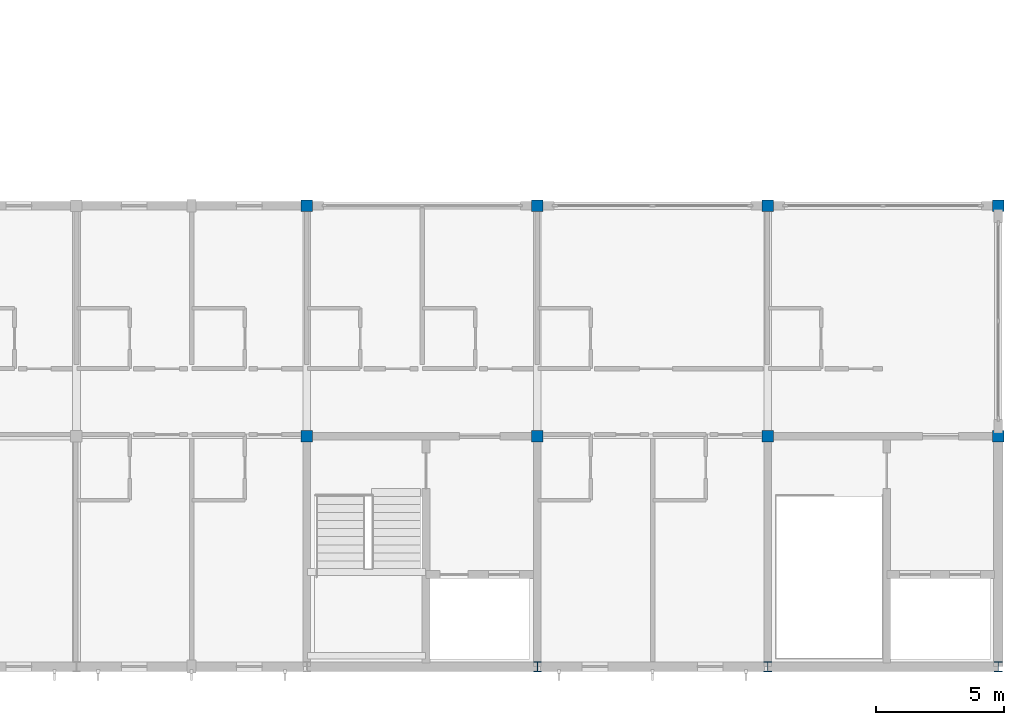
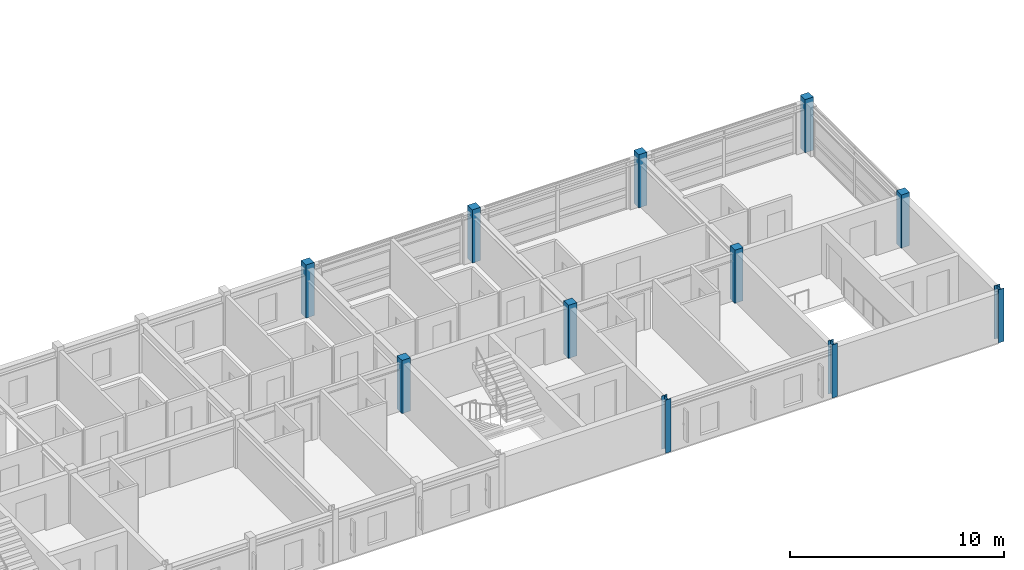
# One storey, part 2 of 20: 11 columns.
"""IFC4 building model written with IfcOpenShell, lengths in metres."""

import ifcopenshell
import ifcopenshell.guid

model = None  # the IFC model being written
_history = None  # IfcOwnerHistory: only IFC2X3 demands one
_inside = {}  # id of a spatial element -> (the spatial element, [elements in it])
_under = {}  # id of a project, library or spatial element -> (it, [spatial elements below it])
_declared = {}  # id of a project -> (the project, [libraries it declares])
_typed = {}  # id of a type object -> (the type object, [elements of that type])
_made_of = {}  # id of a material, layer set ... -> (it, [elements and type objects made of it])


def new_model(schema):
    """Start an empty IFC model of exactly this schema.

    Asked for "IFC4X3", IfcOpenShell would pick the latest addendum, in which some entities
    have other attributes; the version numbers below select the first issue.
    IFC2X3 requires an IfcOwnerHistory on every rooted entity: one is made here for all.
    """
    global model, _history
    if schema == "IFC4X3":
        model = ifcopenshell.file(schema_version=(4, 3, 0, 0))
    else:
        model = ifcopenshell.file(schema=schema)
    _inside.clear()
    _under.clear()
    _declared.clear()
    _typed.clear()
    _made_of.clear()
    _history = None
    if model.schema == "IFC2X3":
        org = make("IfcOrganization", Name="unknown")
        user = make(
            "IfcPersonAndOrganization",
            ThePerson=make("IfcPerson", FamilyName="unknown"),
            TheOrganization=org,
        )
        app = make(
            "IfcApplication",
            ApplicationDeveloper=org,
            Version="unknown",
            ApplicationFullName="unknown",
            ApplicationIdentifier="unknown",
        )
        _history = make(
            "IfcOwnerHistory",
            OwningUser=user,
            OwningApplication=app,
            ChangeAction="ADDED",
            CreationDate=0,
        )
    return model


def make(cls, **values):
    """One entity of the class cls with the attributes given. An attribute that is None is left unset."""
    return model.create_entity(
        cls, **{name: value for name, value in values.items() if value is not None}
    )


def rooted(cls, **values):
    """An entity with a GlobalId (a new one), such as an element, a storey or a relation."""
    return make(cls, GlobalId=ifcopenshell.guid.new(), OwnerHistory=_history, **values)


def si_unit(unit_type, name, prefix=None):
    """IfcSIUnit, for example si_unit("LENGTHUNIT", "METRE", prefix="MILLI")."""
    return make("IfcSIUnit", UnitType=unit_type, Prefix=prefix, Name=name)


def assignment(units):
    """IfcUnitAssignment: the units of a project."""
    return None if units is None else make("IfcUnitAssignment", Units=units)


def point(xyz):
    """IfcCartesianPoint."""
    return None if xyz is None else make("IfcCartesianPoint", Coordinates=xyz)


def direction(xyz):
    """IfcDirection."""
    return None if xyz is None else make("IfcDirection", DirectionRatios=xyz)


def frame(location, z_axis=None, x_axis=None):
    """IfcAxis2Placement3D, a coordinate frame: its origin and axes. An axis left out is left unset."""
    return make(
        "IfcAxis2Placement3D",
        Location=point(location),
        Axis=direction(z_axis),
        RefDirection=direction(x_axis),
    )


def frame_2d(location, x_axis=None):
    """IfcAxis2Placement2D, a coordinate frame in the plane: its origin and x axis."""
    return make(
        "IfcAxis2Placement2D", Location=point(location), RefDirection=direction(x_axis)
    )


def origin():
    """The frame at (0, 0, 0) with its axes left unset."""
    return frame((0.0, 0.0, 0.0))


def origin_2d():
    """The frame at (0, 0) in the plane with its x axis left unset."""
    return frame_2d((0.0, 0.0))


def place(relative_to, where):
    """IfcLocalPlacement: puts the frame where relative to a parent placement (None: the world)."""
    return make(
        "IfcLocalPlacement", PlacementRelTo=relative_to, RelativePlacement=where
    )


def context(
    kind, dimensions, precision=None, world=None, true_north=None, identifier=None
):
    """IfcGeometricRepresentationContext, for example the 3D "Model" context."""
    return make(
        "IfcGeometricRepresentationContext",
        ContextIdentifier=identifier,
        ContextType=kind,
        CoordinateSpaceDimension=dimensions,
        Precision=precision,
        WorldCoordinateSystem=world,
        TrueNorth=true_north,
    )


def subcontext(parent, identifier, kind, view, scale=None):
    """IfcGeometricRepresentationSubContext, for example "Body" below "Model"."""
    return make(
        "IfcGeometricRepresentationSubContext",
        ContextIdentifier=identifier,
        ContextType=kind,
        ParentContext=parent,
        TargetScale=scale,
        TargetView=view,
    )


def project(units=None, contexts=None):
    """IfcProject with its units and contexts."""
    return rooted(
        "IfcProject",
        Name="project",
        RepresentationContexts=contexts,
        UnitsInContext=assignment(units),
    )


def spatial(cls, under=None, at=None, **own):
    """A site, building, storey or space (cls), placed at a placement, below another one or the project."""
    s = rooted(cls, ObjectPlacement=at, **own)
    if under is not None:
        _under.setdefault(under.id(), (under, []))[1].append(s)
    return s


def profile(cls, at=None, kind="AREA", **sizes):
    """A parametric profile (cls). Its sizes go by their IFC names, for example OverallWidth=200.0."""
    return make(cls, ProfileType=kind, Position=at, **sizes)


def rectangle(**sizes):
    """IfcRectangleProfileDef."""
    return profile("IfcRectangleProfileDef", **sizes)


def i_section(**sizes):
    """IfcIShapeProfileDef."""
    return profile("IfcIShapeProfileDef", **sizes)


def extrude(swept, where, along, depth):
    """IfcExtrudedAreaSolid: the profile swept, set in the frame where, extruded along a direction by depth."""
    return make(
        "IfcExtrudedAreaSolid",
        SweptArea=swept,
        Position=where,
        ExtrudedDirection=direction(along),
        Depth=depth,
    )


def shape(context_of_items, identifier, shape_type, items):
    """IfcShapeRepresentation: the items that make up one representation, for example the "Body"."""
    return make(
        "IfcShapeRepresentation",
        ContextOfItems=context_of_items,
        RepresentationIdentifier=identifier,
        RepresentationType=shape_type,
        Items=items,
    )


def material(Name=None, Category=None):
    """IfcMaterial."""
    return make("IfcMaterial", Name=Name, Category=Category)


def material_profile(
    of_material, cross_section, Name=None, Category=None, Priority=None
):
    """IfcMaterialProfile: a cross section and its material."""
    return make(
        "IfcMaterialProfile",
        Name=Name,
        Material=of_material,
        Profile=cross_section,
        Priority=Priority,
        Category=Category,
    )


def profile_set(profiles, Name=None, composite=None):
    """IfcMaterialProfileSet."""
    return make(
        "IfcMaterialProfileSet",
        Name=Name,
        MaterialProfiles=profiles,
        CompositeProfile=composite,
    )


def made_of(thing, what):
    """Note that an element or type object is made of a material, layer set ...; save() writes the relation."""
    if what is not None:
        _made_of.setdefault(what.id(), (what, []))[1].append(thing)
    return thing


def type_object(cls, material=None, **own):
    """A type object (cls), such as IfcWallType, which elements share."""
    return made_of(rooted(cls, **own), material)


def element(
    cls,
    number,
    at=None,
    inside=None,
    cuts=None,
    type_object=None,
    material=None,
    context=None,
    identifier="Body",
    shape_type=None,
    held_by="IfcProductDefinitionShape",
    body=None,
    shapes=None,
    **own,
):
    """One element of the class cls, such as IfcWall. Its Tag is "e" and its number.

    at: its placement. inside: the storey or other place that contains it. cuts: it is an
    opening in that element (IfcRelVoidsElement). A single representation is given by context,
    identifier, shape_type and body (its items); several are given by shapes. held_by: the class
    of the entity that holds the representations. save() writes the other relations.
    """
    e = rooted(cls, Tag="e%d" % number, ObjectPlacement=at, **own)
    if body is not None:
        shapes = [shape(context, identifier, shape_type, body)]
    if shapes is not None:
        e.Representation = make(held_by, Representations=shapes)
    if inside is not None:
        _inside.setdefault(inside.id(), (inside, []))[1].append(e)
    if cuts is not None:
        rooted(
            "IfcRelVoidsElement", RelatingBuildingElement=cuts, RelatedOpeningElement=e
        )
    if type_object is not None:
        _typed.setdefault(type_object.id(), (type_object, []))[1].append(e)
    return made_of(e, material)


def aggregate(whole, parts):
    """IfcRelAggregates: a whole, such as a stair, and the parts it consists of."""
    return rooted("IfcRelAggregates", RelatingObject=whole, RelatedObjects=parts)


def save(model, path):
    """Write the relations noted so far, then the file.

    IfcRelAggregates (storeys below a building ...), IfcRelContainedInSpatialStructure (elements
    in a storey), IfcRelDefinesByType, IfcRelAssociatesMaterial and IfcRelDeclares: one each for
    every whole, place, type object, material and project.
    """
    for whole, parts in _under.values():
        aggregate(whole, parts)
    for where, things in _inside.values():
        rooted(
            "IfcRelContainedInSpatialStructure",
            RelatedElements=things,
            RelatingStructure=where,
        )
    for kind, things in _typed.values():
        rooted("IfcRelDefinesByType", RelatedObjects=things, RelatingType=kind)
    for what, things in _made_of.values():
        rooted("IfcRelAssociatesMaterial", RelatedObjects=things, RelatingMaterial=what)
    for by, libraries in _declared.values():
        rooted("IfcRelDeclares", RelatingContext=by, RelatedDefinitions=libraries)
    model.write(path)


model = new_model("IFC4")

# Units and contexts
model_context = context("Model", 3, precision=1e-05, world=origin(), true_north=direction((0.0, 1.0)))
body_context = subcontext(model_context, "Body", "Model", "MODEL_VIEW")
ifc_project = project(units=[si_unit("LENGTHUNIT", "METRE"), si_unit("AREAUNIT", "SQUARE_METRE"), si_unit("VOLUMEUNIT", "CUBIC_METRE"), si_unit("PLANEANGLEUNIT", "RADIAN"), si_unit("MASSUNIT", "GRAM", prefix="KILO")], contexts=[model_context])

# Site, building, storey
site_placement = place(None, origin())
site = spatial("IfcSite", under=ifc_project, at=site_placement, CompositionType="ELEMENT")
building_placement = place(site_placement, origin())
building = spatial("IfcBuilding", under=site, at=building_placement, Name="Palais des Congres Ocreval", CompositionType="ELEMENT")
storey_placement = place(building_placement, frame((0.0, 0.0, 20.639892578125)))
storey = spatial("IfcBuildingStorey", under=building, at=storey_placement, Name="L06", CompositionType="ELEMENT", Elevation=20.639892578125)

# Columns
ifc_material_1 = material(Name="Steel S355", Category="steel")
ifc_material_profile_1 = material_profile(ifc_material_1, i_section(OverallWidth=0.300048828125, OverallDepth=0.39990234375, WebThickness=0.013427734375, FlangeThickness=0.02392578125, at=origin_2d()), Name="HEB 400")
ifc_profile_set_1 = profile_set([ifc_material_profile_1], Name="Steel S355")
column_type_1 = type_object("IfcColumnType", Name="Column HEB 400 Steel S355", PredefinedType="COLUMN", material=ifc_profile_set_1)
for number, where, z_axis, x_axis, name in (
    (1, (45.0, 0.0, 0.0), (0.0, 0.0, 1.0), (1.0, 0.0, 0.0), "Column C10 L06"),
    (2, (54.0, 0.0, 0.0), (0.0, 0.0, 1.0), (1.0, 0.0, 0.0), "Column C10 L06"),
    (3, (63.0, 0.0, 0.0), (0.0, 0.0, 1.0), (1.0, 0.0, 0.0), "Column C10 L06"),
):
    element("IfcColumn", number, at=place(storey_placement, frame(where, z_axis=z_axis, x_axis=x_axis)), inside=storey, type_object=column_type_1, Name=name, PredefinedType="COLUMN", context=body_context, shape_type="SweptSolid", body=[
        extrude(i_section(OverallWidth=0.300048828125, OverallDepth=0.39990234375, WebThickness=0.013427734375, FlangeThickness=0.02392578125, at=origin_2d()), origin(), (0.0, 0.0, 1.0), 3.0400390625),
    ])
ifc_material_2 = material(Name="Concrete C40/50", Category="concrete")
ifc_material_profile_2 = material_profile(ifc_material_2, rectangle(XDim=0.449951171875, YDim=0.449951171875, at=origin_2d()), Name="RC 450x450")
ifc_profile_set_2 = profile_set([ifc_material_profile_2], Name="Concrete C40/50")
column_type_2 = type_object("IfcColumnType", Name="Column RC 450x450 Concrete C40/50", PredefinedType="COLUMN", material=ifc_profile_set_2)
for number, where, z_axis, x_axis, name in (
    (4, (36.0, 9.0, 0.0), (0.0, 0.0, 1.0), (1.0, 0.0, 0.0), "Column C25 L06"),
    (5, (36.0, 18.0, 0.0), (0.0, 0.0, 1.0), (1.0, 0.0, 0.0), "Column C25 L06"),
    (6, (45.0, 9.0, 0.0), (0.0, 0.0, 1.0), (1.0, 0.0, 0.0), "Column C25 L06"),
    (7, (45.0, 18.0, 0.0), (0.0, 0.0, 1.0), (1.0, 0.0, 0.0), "Column C25 L06"),
    (8, (54.0, 9.0, 0.0), (0.0, 0.0, 1.0), (1.0, 0.0, 0.0), "Column C25 L06"),
    (9, (54.0, 18.0, 0.0), (0.0, 0.0, 1.0), (1.0, 0.0, 0.0), "Column C25 L06"),
    (10, (63.0, 9.0, 0.0), (0.0, 0.0, 1.0), (1.0, 0.0, 0.0), "Column C25 L06"),
    (11, (63.0, 18.0, 0.0), (0.0, 0.0, 1.0), (1.0, 0.0, 0.0), "Column C25 L06"),
):
    element("IfcColumn", number, at=place(storey_placement, frame(where, z_axis=z_axis, x_axis=x_axis)), inside=storey, type_object=column_type_2, Name=name, PredefinedType="COLUMN", context=body_context, shape_type="SweptSolid", body=[
        extrude(rectangle(XDim=0.449951171875, YDim=0.449951171875, at=origin_2d()), origin(), (0.0, 0.0, 1.0), 3.0400390625),
    ])

save(model, "model.ifc")
